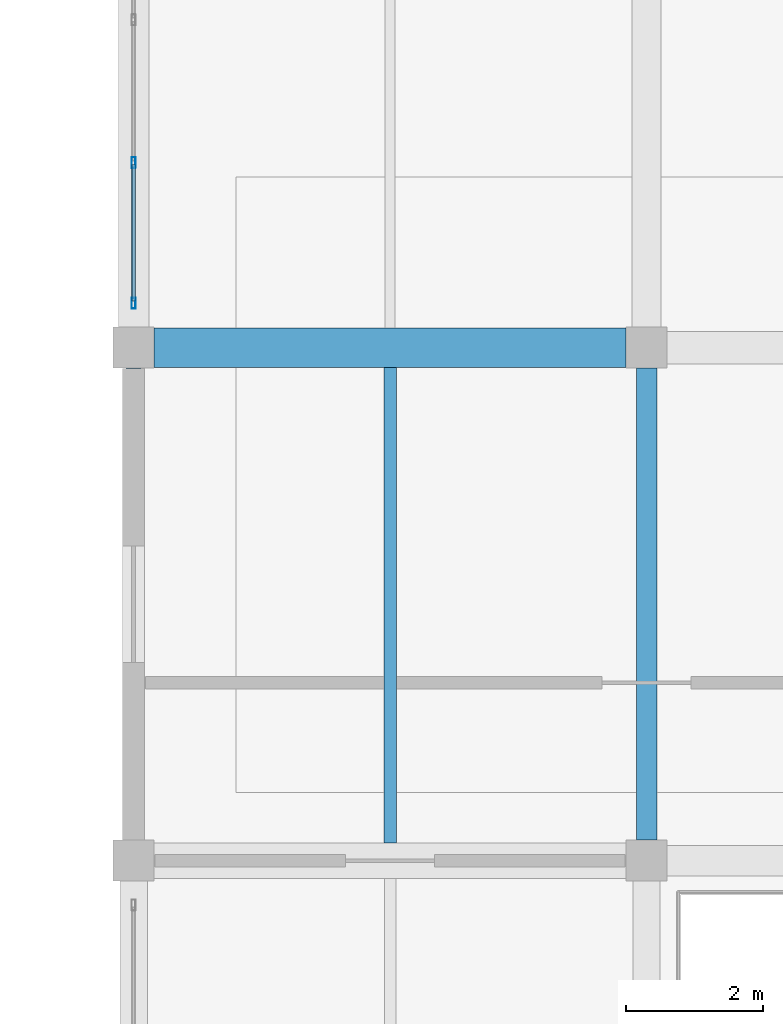
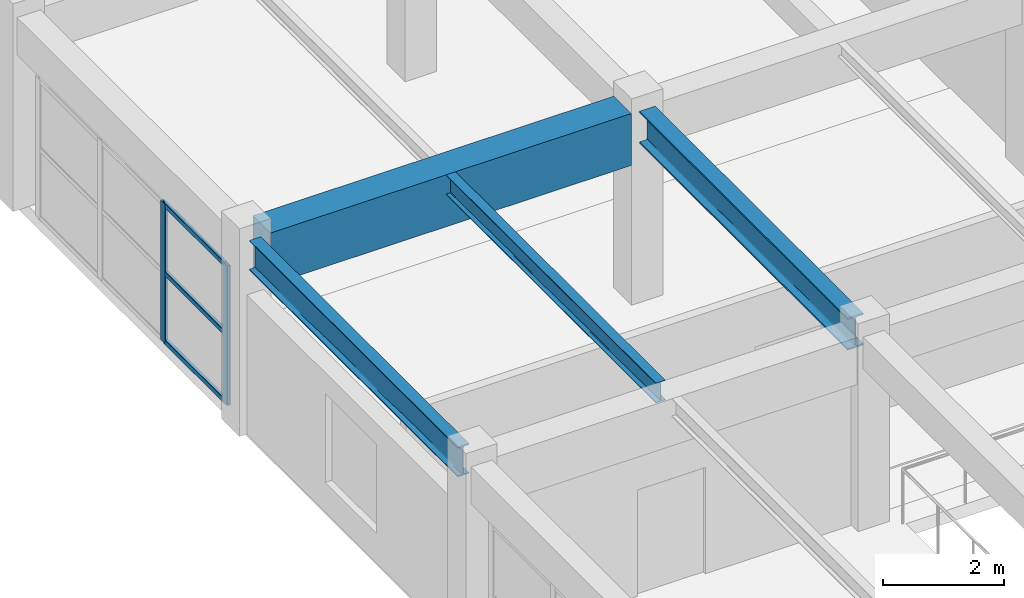
# One storey, part 56 of 124: 5 members, 4 beams, 1 element without a shape of its own.
"""IFC4 building model written with IfcOpenShell, lengths in metres."""

from ifc_helpers import new_model, si_unit, direction, frame, origin, origin_2d, place, context, subcontext, project, spatial, rectangle, hollow_rectangle, i_section, extrude, material, material_profile, profile_set, type_object, element, aggregate, save


model = new_model("IFC4")

# Units and contexts
model_context = context("Model", 3, precision=1e-05, world=origin(), true_north=direction((0.0, 1.0)))
body_context = subcontext(model_context, "Body", "Model", "MODEL_VIEW")
ifc_project = project(units=[si_unit("LENGTHUNIT", "METRE"), si_unit("AREAUNIT", "SQUARE_METRE"), si_unit("VOLUMEUNIT", "CUBIC_METRE"), si_unit("PLANEANGLEUNIT", "RADIAN"), si_unit("MASSUNIT", "GRAM", prefix="KILO")], contexts=[model_context])

# Site, building, storey
site_placement = place(None, origin())
site = spatial("IfcSite", under=ifc_project, at=site_placement, CompositionType="ELEMENT")
building_placement = place(site_placement, origin())
building = spatial("IfcBuilding", under=site, at=building_placement, Name="Qasida Concert Hall", CompositionType="ELEMENT")
storey_placement = place(building_placement, frame((0.0, 0.0, 9.0)))
storey = spatial("IfcBuildingStorey", under=building, at=storey_placement, Name="L02", CompositionType="ELEMENT", Elevation=9.0)

# Beams
ifc_material_1 = material(Name="Steel S355J2", Category="steel")
ifc_material_profile_1 = material_profile(ifc_material_1, i_section(OverallWidth=0.300048828125, OverallDepth=0.64990234375, WebThickness=0.01611328125, FlangeThickness=0.031005859375, FilletRadius=0.027099609375, at=origin_2d()), Name="HEB 650")
ifc_profile_set_1 = profile_set([ifc_material_profile_1], Name="Steel S355J2")
beam_type_1 = type_object("IfcBeamType", Name="BM-B13", PredefinedType="BEAM", material=ifc_profile_set_1)
beam_1_placement = place(storey_placement, frame((127.5, 90.300048828125, 3.574951171875), z_axis=(0.0, 1.0, 0.0), x_axis=(-1.0, 0.0, 0.0)))
element("IfcBeam", 1, at=beam_1_placement, inside=storey, type_object=beam_type_1, Name="L02 girder 1390", PredefinedType="BEAM", context=body_context, shape_type="SweptSolid", body=[
    extrude(i_section(OverallWidth=0.300048828125, OverallDepth=0.64990234375, WebThickness=0.01611328125, FlangeThickness=0.031005859375, FilletRadius=0.027099609375, at=origin_2d()), origin(), (0.0, 0.0, 1.0), 6.89990234375),
])
ifc_material_2 = material(Name="Concrete C50/60", Category="concrete")
ifc_material_profile_2 = material_profile(ifc_material_2, rectangle(XDim=0.580078125, YDim=1.050048828125, at=origin_2d()), Name="RC 580x1050")
ifc_profile_set_2 = profile_set([ifc_material_profile_2], Name="Concrete C50/60")
beam_type_2 = type_object("IfcBeamType", Name="BM-G8", PredefinedType="USERDEFINED", material=ifc_profile_set_2)
beam_2_placement = place(storey_placement, frame((120.300048828125, 97.5, 3.375), z_axis=(1.0, 0.0, 0.0), x_axis=(0.0, 1.0, 0.0)))
element("IfcBeam", 2, at=beam_2_placement, inside=storey, type_object=beam_type_2, Name="Primary girder 1365", ObjectType="GIRDER", PredefinedType="USERDEFINED", context=body_context, shape_type="SweptSolid", body=[
    extrude(rectangle(XDim=0.580078125, YDim=1.050048828125, at=origin_2d()), origin(), (0.0, 0.0, 1.0), 6.89990234375),
])
ifc_material_profile_3 = material_profile(ifc_material_1, i_section(OverallWidth=0.179931640625, OverallDepth=0.39990234375, WebThickness=0.008544921875, FlangeThickness=0.013427734375, FilletRadius=0.02099609375, at=origin_2d()), Name="IPE 400")
ifc_profile_set_3 = profile_set([ifc_material_profile_3], Name="Steel S355J2")
beam_type_3 = type_object("IfcBeamType", Name="BM-J3", PredefinedType="JOIST", material=ifc_profile_set_3)
beam_3_placement = place(storey_placement, frame((123.75, 90.260009765625, 3.699951171875), z_axis=(0.0, 1.0, 0.0), x_axis=(-1.0, 0.0, 0.0)))
element("IfcBeam", 3, at=beam_3_placement, inside=storey, type_object=beam_type_3, Name="L02 secondary joist 1418", PredefinedType="JOIST", context=body_context, shape_type="SweptSolid", body=[
    extrude(i_section(OverallWidth=0.179931640625, OverallDepth=0.39990234375, WebThickness=0.008544921875, FlangeThickness=0.013427734375, FilletRadius=0.02099609375, at=origin_2d()), origin(), (0.0, 0.0, 1.0), 6.949951171875),
])
ifc_material_profile_4 = material_profile(ifc_material_1, i_section(OverallWidth=0.219970703125, OverallDepth=0.60009765625, WebThickness=0.011962890625, FlangeThickness=0.01904296875, FilletRadius=0.02392578125, at=origin_2d()), Name="IPE 600")
ifc_profile_set_4 = profile_set([ifc_material_profile_4], Name="Steel S355J2")
beam_type_4 = type_object("IfcBeamType", Name="BM-SP3", PredefinedType="SPANDREL", material=ifc_profile_set_4)
beam_4_placement = place(storey_placement, frame((120.0, 90.300048828125, 3.60009765625), z_axis=(0.0, 1.0, 0.0), x_axis=(-1.0, 0.0, 0.0)))
element("IfcBeam", 4, at=beam_4_placement, inside=storey, type_object=beam_type_4, Name="L02 girder 1385", PredefinedType="SPANDREL", context=body_context, shape_type="SweptSolid", body=[
    extrude(i_section(OverallWidth=0.219970703125, OverallDepth=0.60009765625, WebThickness=0.011962890625, FlangeThickness=0.01904296875, FilletRadius=0.02392578125, at=origin_2d()), origin(), (0.0, 0.0, 1.0), 6.89990234375),
])

# Curtain wall, members
ifc_material_3 = material(Name="Architectural bronze-anodized aluminium and low-E glass", Category="aluminium")
curtain_wall_type = type_object("IfcCurtainWallType", Name="CW-09", PredefinedType="NOTDEFINED", material=ifc_material_3)
curtain_wall_placement = place(storey_placement, origin())
curtain_wall = element("IfcCurtainWall", 5, at=curtain_wall_placement, inside=storey, type_object=curtain_wall_type, Name="L02 curtain wall CW-09 0176", PredefinedType="NOTDEFINED")
ifc_material_4 = material(Name="Architectural bronze-anodized aluminium EN AW-6063", Category="aluminium")
ifc_material_profile_5 = material_profile(ifc_material_4, hollow_rectangle(XDim=0.06005859375, YDim=0.159912109375, WallThickness=0.00390625, InnerFilletRadius=0.00390625, OuterFilletRadius=0.008056640625, at=origin_2d()), Name="CWM 160x60x4")
ifc_profile_set_5 = profile_set([ifc_material_profile_5], Name="Architectural bronze-anodized aluminium EN AW-6063")
member_type_1 = type_object("IfcMemberType", Name="MB-CWM-3", PredefinedType="MULLION", material=ifc_profile_set_5)
member_1_placement = place(storey_placement, frame((120.0, 98.14990234375, 0.0), z_axis=(0.0, 0.0, 1.0), x_axis=(-1.0, 0.0, 0.0)))
member_1 = element("IfcMember", 6, at=member_1_placement, type_object=member_type_1, Name="CW-09 mullion 1", PredefinedType="MULLION", context=body_context, shape_type="SweptSolid", body=[
    extrude(hollow_rectangle(XDim=0.06005859375, YDim=0.159912109375, WallThickness=0.00390625, InnerFilletRadius=0.00390625, OuterFilletRadius=0.008056640625, at=origin_2d()), origin(), (0.0, 0.0, 1.0), 2.820068359375),
])
member_2_placement = place(storey_placement, frame((120.0, 100.206787109375, 0.0), z_axis=(0.0, 0.0, 1.0), x_axis=(-1.0, 0.0, 0.0)))
member_2 = element("IfcMember", 7, at=member_2_placement, type_object=member_type_1, Name="CW-09 mullion 2", PredefinedType="MULLION", context=body_context, shape_type="SweptSolid", body=[
    extrude(hollow_rectangle(XDim=0.06005859375, YDim=0.159912109375, WallThickness=0.00390625, InnerFilletRadius=0.00390625, OuterFilletRadius=0.008056640625, at=origin_2d()), origin(), (0.0, 0.0, 1.0), 2.820068359375),
])
ifc_material_profile_6 = material_profile(ifc_material_4, hollow_rectangle(XDim=0.06005859375, YDim=0.10009765625, WallThickness=0.00341796875, InnerFilletRadius=0.00341796875, OuterFilletRadius=0.007080078125, at=origin_2d()), Name="CWT 100x60x3.5")
ifc_profile_set_6 = profile_set([ifc_material_profile_6], Name="Architectural bronze-anodized aluminium EN AW-6063")
member_type_2 = type_object("IfcMemberType", Name="MB-CWT-3", PredefinedType="USERDEFINED", material=ifc_profile_set_6)
member_3_placement = place(storey_placement, frame((120.0, 98.179931640625, 0.030029296875), z_axis=(0.0, 1.0, 0.0), x_axis=(-1.0, 0.0, 0.0)))
member_3 = element("IfcMember", 8, at=member_3_placement, type_object=member_type_2, Name="CW-09 transom 1.1", ObjectType="TRANSOM", PredefinedType="USERDEFINED", context=body_context, shape_type="SweptSolid", body=[
    extrude(hollow_rectangle(XDim=0.06005859375, YDim=0.10009765625, WallThickness=0.00341796875, InnerFilletRadius=0.00341796875, OuterFilletRadius=0.007080078125, at=origin_2d()), origin(), (0.0, 0.0, 1.0), 1.996826171875),
])
member_4_placement = place(storey_placement, frame((120.0, 98.179931640625, 1.409912109375), z_axis=(0.0, 1.0, 0.0), x_axis=(-1.0, 0.0, 0.0)))
member_4 = element("IfcMember", 9, at=member_4_placement, type_object=member_type_2, Name="CW-09 transom 1.2", ObjectType="TRANSOM", PredefinedType="USERDEFINED", context=body_context, shape_type="SweptSolid", body=[
    extrude(hollow_rectangle(XDim=0.06005859375, YDim=0.10009765625, WallThickness=0.00341796875, InnerFilletRadius=0.00341796875, OuterFilletRadius=0.007080078125, at=origin_2d()), origin(), (0.0, 0.0, 1.0), 1.996826171875),
])
member_5_placement = place(storey_placement, frame((120.0, 98.179931640625, 2.7900390625), z_axis=(0.0, 1.0, 0.0), x_axis=(-1.0, 0.0, 0.0)))
member_5 = element("IfcMember", 10, at=member_5_placement, type_object=member_type_2, Name="CW-09 transom 1.3", ObjectType="TRANSOM", PredefinedType="USERDEFINED", context=body_context, shape_type="SweptSolid", body=[
    extrude(hollow_rectangle(XDim=0.06005859375, YDim=0.10009765625, WallThickness=0.00341796875, InnerFilletRadius=0.00341796875, OuterFilletRadius=0.007080078125, at=origin_2d()), origin(), (0.0, 0.0, 1.0), 1.996826171875),
])
aggregate(curtain_wall, [member_1, member_2, member_3, member_4, member_5])

save(model, "model.ifc")
